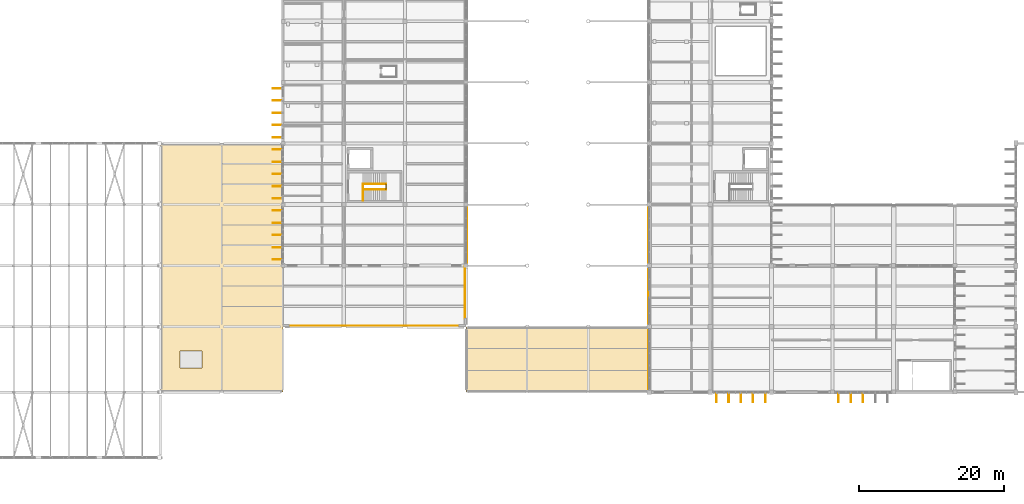
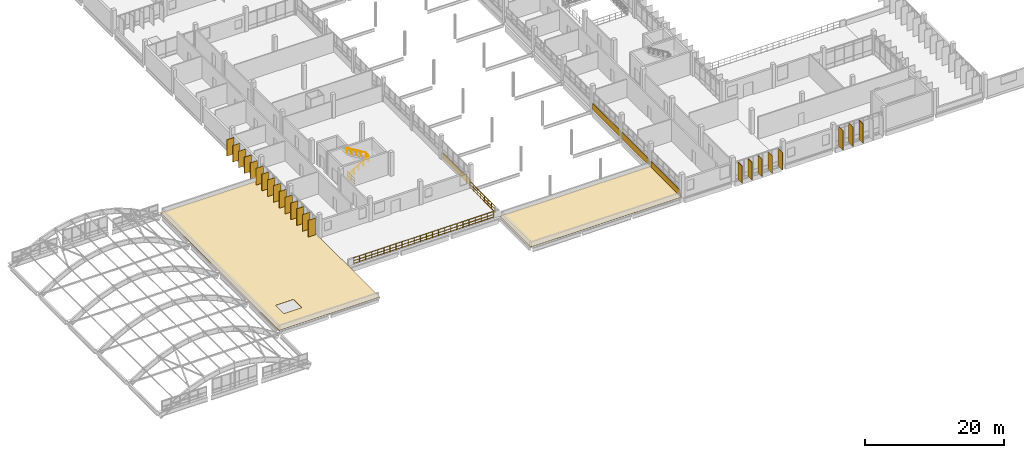
# One storey, part 125 of 130: 23 shading devices, 6 coverings, 6 railings.
"""IFC4 building model written with IfcOpenShell, lengths in metres."""

from ifc_helpers import new_model, si_unit, direction, frame, origin, origin_2d, place, context, subcontext, project, spatial, polyline, rectangle, circle, outline, extrude, material, layer, layer_set, material_profile, profile_set, type_object, element, save


model = new_model("IFC4")

# Units and contexts
model_context = context("Model", 3, precision=1e-05, world=origin(), true_north=direction((0.0, 1.0)))
body_context = subcontext(model_context, "Body", "Model", "MODEL_VIEW")
ifc_project = project(units=[si_unit("LENGTHUNIT", "METRE"), si_unit("AREAUNIT", "SQUARE_METRE"), si_unit("VOLUMEUNIT", "CUBIC_METRE"), si_unit("PLANEANGLEUNIT", "RADIAN"), si_unit("MASSUNIT", "GRAM", prefix="KILO")], contexts=[model_context])

# Site, building, storey
site_placement = place(None, origin())
site = spatial("IfcSite", under=ifc_project, at=site_placement, CompositionType="ELEMENT")
building_placement = place(site_placement, origin())
building = spatial("IfcBuilding", under=site, at=building_placement, Name="Vireocrest Preparatory School", CompositionType="ELEMENT")
storey_placement = place(building_placement, frame((0.0, 0.0, 9.0)))
storey = spatial("IfcBuildingStorey", under=building, at=storey_placement, Name="L02", CompositionType="ELEMENT", Elevation=9.0)

# Railings
ifc_material_1 = material(Name="Brushed stainless steel AISI 316", Category="steel")
railing_type_1 = type_object("IfcRailingType", Name="Post-and-Rail Guard Balustrade 1120", PredefinedType="BALUSTRADE", material=ifc_material_1)
railing_1_placement = place(storey_placement, frame((42.8798828125, 27.1298828125, 0.0)))
element("IfcRailing", 1, at=railing_1_placement, inside=storey, type_object=railing_type_1, Name="Terrace and Deck Guard Balustrade GR1 L02 WEST_L02_TERR_S", PredefinedType="BALUSTRADE", context=body_context, shape_type="SweptSolid", body=[
    extrude(circle(Radius=0.02392578125, at=origin_2d()), frame((0.0, 0.0, 1.09619140625), z_axis=(1.0, 0.0, 0.0), x_axis=(0.0, 1.0, 0.0)), (0.0, 0.0, 1.0), 23.340087890625),
    extrude(circle(Radius=0.01806640625, at=origin_2d()), frame((0.0, 0.0, 0.56005859375), z_axis=(1.0, 0.0, 0.0), x_axis=(0.0, 1.0, 0.0)), (0.0, 0.0, 1.0), 23.340087890625),
    extrude(circle(Radius=0.01806640625, at=origin_2d()), frame((0.0, 0.0, 0.10009765625), z_axis=(1.0, 0.0, 0.0), x_axis=(0.0, 1.0, 0.0)), (0.0, 0.0, 1.0), 23.340087890625),
    extrude(circle(Radius=0.02099609375, at=origin_2d()), origin(), (0.0, 0.0, 1.0), 1.072021484375),
    extrude(circle(Radius=0.02099609375, at=origin_2d()), frame((1.014892578125, 0.0, 0.0)), (0.0, 0.0, 1.0), 1.072021484375),
    extrude(circle(Radius=0.02099609375, at=origin_2d()), frame((2.029541015625, 0.0, 0.0)), (0.0, 0.0, 1.0), 1.072021484375),
    extrude(circle(Radius=0.02099609375, at=origin_2d()), frame((3.04443359375, 0.0, 0.0)), (0.0, 0.0, 1.0), 1.072021484375),
    extrude(circle(Radius=0.02099609375, at=origin_2d()), frame((4.05908203125, 0.0, 0.0)), (0.0, 0.0, 1.0), 1.072021484375),
    extrude(circle(Radius=0.02099609375, at=origin_2d()), frame((5.073974609375, 0.0, 0.0)), (0.0, 0.0, 1.0), 1.072021484375),
    extrude(circle(Radius=0.02099609375, at=origin_2d()), frame((6.088623046875, 0.0, 0.0)), (0.0, 0.0, 1.0), 1.072021484375),
    extrude(circle(Radius=0.02099609375, at=origin_2d()), frame((7.103515625, 0.0, 0.0)), (0.0, 0.0, 1.0), 1.072021484375),
    extrude(circle(Radius=0.02099609375, at=origin_2d()), frame((8.118408203125, 0.0, 0.0)), (0.0, 0.0, 1.0), 1.072021484375),
    extrude(circle(Radius=0.02099609375, at=origin_2d()), frame((9.133056640625, 0.0, 0.0)), (0.0, 0.0, 1.0), 1.072021484375),
    extrude(circle(Radius=0.02099609375, at=origin_2d()), frame((10.14794921875, 0.0, 0.0)), (0.0, 0.0, 1.0), 1.072021484375),
    extrude(circle(Radius=0.02099609375, at=origin_2d()), frame((11.16259765625, 0.0, 0.0)), (0.0, 0.0, 1.0), 1.072021484375),
    extrude(circle(Radius=0.02099609375, at=origin_2d()), frame((12.177490234375, 0.0, 0.0)), (0.0, 0.0, 1.0), 1.072021484375),
    extrude(circle(Radius=0.02099609375, at=origin_2d()), frame((13.192138671875, 0.0, 0.0)), (0.0, 0.0, 1.0), 1.072021484375),
    extrude(circle(Radius=0.02099609375, at=origin_2d()), frame((14.20703125, 0.0, 0.0)), (0.0, 0.0, 1.0), 1.072021484375),
    extrude(circle(Radius=0.02099609375, at=origin_2d()), frame((15.2216796875, 0.0, 0.0)), (0.0, 0.0, 1.0), 1.072021484375),
    extrude(circle(Radius=0.02099609375, at=origin_2d()), frame((16.236572265625, 0.0, 0.0)), (0.0, 0.0, 1.0), 1.072021484375),
    extrude(circle(Radius=0.02099609375, at=origin_2d()), frame((17.25146484375, 0.0, 0.0)), (0.0, 0.0, 1.0), 1.072021484375),
    extrude(circle(Radius=0.02099609375, at=origin_2d()), frame((18.26611328125, 0.0, 0.0)), (0.0, 0.0, 1.0), 1.072021484375),
    extrude(circle(Radius=0.02099609375, at=origin_2d()), frame((19.281005859375, 0.0, 0.0)), (0.0, 0.0, 1.0), 1.072021484375),
    extrude(circle(Radius=0.02099609375, at=origin_2d()), frame((20.295654296875, 0.0, 0.0)), (0.0, 0.0, 1.0), 1.072021484375),
    extrude(circle(Radius=0.02099609375, at=origin_2d()), frame((21.310546875, 0.0, 0.0)), (0.0, 0.0, 1.0), 1.072021484375),
    extrude(circle(Radius=0.02099609375, at=origin_2d()), frame((22.3251953125, 0.0, 0.0)), (0.0, 0.0, 1.0), 1.072021484375),
    extrude(circle(Radius=0.02099609375, at=origin_2d()), frame((23.340087890625, 0.0, 0.0)), (0.0, 0.0, 1.0), 1.072021484375),
])
railing_2_placement = place(storey_placement, frame((67.070068359375, 28.1298828125, 0.0)))
element("IfcRailing", 2, at=railing_2_placement, inside=storey, type_object=railing_type_1, Name="Terrace and Deck Guard Balustrade GR1 L02 WEST_L02_TERR_E", PredefinedType="BALUSTRADE", context=body_context, shape_type="SweptSolid", body=[
    extrude(circle(Radius=0.02392578125, at=origin_2d()), frame((0.0, 0.0, 1.09619140625), z_axis=(0.0, 1.0, 0.0), x_axis=(-1.0, 0.0, 0.0)), (0.0, 0.0, 1.0), 7.190185546875),
    extrude(circle(Radius=0.01806640625, at=origin_2d()), frame((0.0, 0.0, 0.56005859375), z_axis=(0.0, 1.0, 0.0), x_axis=(-1.0, 0.0, 0.0)), (0.0, 0.0, 1.0), 7.190185546875),
    extrude(circle(Radius=0.01806640625, at=origin_2d()), frame((0.0, 0.0, 0.10009765625), z_axis=(0.0, 1.0, 0.0), x_axis=(-1.0, 0.0, 0.0)), (0.0, 0.0, 1.0), 7.190185546875),
    extrude(circle(Radius=0.02099609375, at=origin_2d()), origin(), (0.0, 0.0, 1.0), 1.072021484375),
    extrude(circle(Radius=0.02099609375, at=origin_2d()), frame((0.0, 1.027099609375, 0.0)), (0.0, 0.0, 1.0), 1.072021484375),
    extrude(circle(Radius=0.02099609375, at=origin_2d()), frame((0.0, 2.054443359375, 0.0)), (0.0, 0.0, 1.0), 1.072021484375),
    extrude(circle(Radius=0.02099609375, at=origin_2d()), frame((0.0, 3.08154296875, 0.0)), (0.0, 0.0, 1.0), 1.072021484375),
    extrude(circle(Radius=0.02099609375, at=origin_2d()), frame((0.0, 4.108642578125, 0.0)), (0.0, 0.0, 1.0), 1.072021484375),
    extrude(circle(Radius=0.02099609375, at=origin_2d()), frame((0.0, 5.1357421875, 0.0)), (0.0, 0.0, 1.0), 1.072021484375),
    extrude(circle(Radius=0.02099609375, at=origin_2d()), frame((0.0, 6.1630859375, 0.0)), (0.0, 0.0, 1.0), 1.072021484375),
    extrude(circle(Radius=0.02099609375, at=origin_2d()), frame((0.0, 7.190185546875, 0.0)), (0.0, 0.0, 1.0), 1.072021484375),
])
railing_3_placement = place(storey_placement, frame((53.02490234375, 44.35009765625, 0.0)))
element("IfcRailing", 3, at=railing_3_placement, inside=storey, type_object=railing_type_1, Name="Arrival Landing Guard ST1-L01", PredefinedType="BALUSTRADE", context=body_context, shape_type="SweptSolid", body=[
    extrude(circle(Radius=0.02392578125, at=origin_2d()), frame((0.0, 0.0, 1.09619140625), z_axis=(0.0, 1.0, 0.0), x_axis=(-1.0, 0.0, 0.0)), (0.0, 0.0, 1.0), 2.02001953125),
    extrude(circle(Radius=0.01806640625, at=origin_2d()), frame((0.0, 0.0, 0.56005859375), z_axis=(0.0, 1.0, 0.0), x_axis=(-1.0, 0.0, 0.0)), (0.0, 0.0, 1.0), 2.02001953125),
    extrude(circle(Radius=0.01806640625, at=origin_2d()), frame((0.0, 0.0, 0.10009765625), z_axis=(0.0, 1.0, 0.0), x_axis=(-1.0, 0.0, 0.0)), (0.0, 0.0, 1.0), 2.02001953125),
    extrude(circle(Radius=0.02099609375, at=origin_2d()), origin(), (0.0, 0.0, 1.0), 1.072021484375),
    extrude(circle(Radius=0.02099609375, at=origin_2d()), frame((0.0, 1.010009765625, 0.0)), (0.0, 0.0, 1.0), 1.072021484375),
    extrude(circle(Radius=0.02099609375, at=origin_2d()), frame((0.0, 2.02001953125, 0.0)), (0.0, 0.0, 1.0), 1.072021484375),
])
railing_4_placement = place(storey_placement, frame((56.175048828125, 45.8798828125, 2.10009765625)))
element("IfcRailing", 4, at=railing_4_placement, inside=storey, type_object=railing_type_1, Name="Half-Landing Well Guard ST1-L02", PredefinedType="BALUSTRADE", context=body_context, shape_type="SweptSolid", body=[
    extrude(circle(Radius=0.02392578125, at=origin_2d()), frame((0.0, 0.0, 1.09619140625), z_axis=(0.0, 1.0, 0.0), x_axis=(-1.0, 0.0, 0.0)), (0.0, 0.0, 1.0), 0.740234375),
    extrude(circle(Radius=0.01806640625, at=origin_2d()), frame((0.0, 0.0, 0.56005859375), z_axis=(0.0, 1.0, 0.0), x_axis=(-1.0, 0.0, 0.0)), (0.0, 0.0, 1.0), 0.740234375),
    extrude(circle(Radius=0.01806640625, at=origin_2d()), frame((0.0, 0.0, 0.10009765625), z_axis=(0.0, 1.0, 0.0), x_axis=(-1.0, 0.0, 0.0)), (0.0, 0.0, 1.0), 0.740234375),
    extrude(circle(Radius=0.02099609375, at=origin_2d()), origin(), (0.0, 0.0, 1.0), 1.072021484375),
    extrude(circle(Radius=0.02099609375, at=origin_2d()), frame((0.0, 0.740234375, 0.0)), (0.0, 0.0, 1.0), 1.072021484375),
])
railing_type_2 = type_object("IfcRailingType", Name="Stair Pitch Handrail 900", PredefinedType="HANDRAIL", material=ifc_material_1)
railing_5_placement = place(storey_placement, frame((53.0048828125, 45.8798828125, 0.175048828125)))
element("IfcRailing", 5, at=railing_5_placement, inside=storey, type_object=railing_type_2, Name="Stair Handrail ST1-L02-HR1", PredefinedType="HANDRAIL", context=body_context, shape_type="SweptSolid", body=[
    extrude(circle(Radius=0.02392578125, at=origin_2d()), frame((0.0, 0.0, 0.8759765625), z_axis=(0.856195157123, 0.0, 0.516652545643), x_axis=(0.0, 1.0, 0.0)), (0.0, 0.0, 1.0), 3.72607421875),
    extrude(circle(Radius=0.02099609375, at=origin_2d()), origin(), (0.0, 0.0, 1.0), 0.851806640625),
    extrude(circle(Radius=0.02099609375, at=origin_2d()), frame((0.797607421875, 0.0, 0.481201171875)), (0.0, 0.0, 1.0), 0.851806640625),
    extrude(circle(Radius=0.02099609375, at=origin_2d()), frame((1.59521484375, 0.0, 0.96240234375)), (0.0, 0.0, 1.0), 0.851806640625),
    extrude(circle(Radius=0.02099609375, at=origin_2d()), frame((2.392578125, 0.0, 1.44384765625)), (0.0, 0.0, 1.0), 0.851806640625),
    extrude(circle(Radius=0.02099609375, at=origin_2d()), frame((3.190185546875, 0.0, 1.925048828125)), (0.0, 0.0, 1.0), 0.851806640625),
])
railing_6_placement = place(storey_placement, frame((56.195068359375, 46.6201171875, 2.27490234375)))
element("IfcRailing", 6, at=railing_6_placement, inside=storey, type_object=railing_type_2, Name="Stair Handrail ST1-L02-HR2", PredefinedType="HANDRAIL", context=body_context, shape_type="SweptSolid", body=[
    extrude(circle(Radius=0.02392578125, at=origin_2d()), frame((0.0, 0.0, 0.8759765625), z_axis=(-0.856195157123, 0.0, 0.516652545643), x_axis=(0.0, -1.0, 0.0)), (0.0, 0.0, 1.0), 3.72607421875),
    extrude(circle(Radius=0.02099609375, at=origin_2d()), origin(), (0.0, 0.0, 1.0), 0.851806640625),
    extrude(circle(Radius=0.02099609375, at=origin_2d()), frame((-0.797607421875, 0.0, 0.481201171875)), (0.0, 0.0, 1.0), 0.851806640625),
    extrude(circle(Radius=0.02099609375, at=origin_2d()), frame((-1.59521484375, 0.0, 0.96240234375)), (0.0, 0.0, 1.0), 0.851806640625),
    extrude(circle(Radius=0.02099609375, at=origin_2d()), frame((-2.392578125, 0.0, 1.44384765625)), (0.0, 0.0, 1.0), 0.851806640625),
    extrude(circle(Radius=0.02099609375, at=origin_2d()), frame((-3.190185546875, 0.0, 1.925048828125)), (0.0, 0.0, 1.0), 0.851806640625),
])

# Coverings
ifc_material_2 = material(Name="TPO single-ply insulated roofing membrane")
ifc_layer_1 = layer(ifc_material_2, 0.030029296875)
ifc_layer_set_1 = layer_set([ifc_layer_1], Name="TPO single-ply insulated roofing membrane")
covering_type_1 = type_object("IfcCoveringType", Name="TPO Insulated Single-Ply Roof Membrane", PredefinedType="ROOFING", material=ifc_layer_set_1)
covering_1_placement = place(storey_placement, origin())
element("IfcCovering", 7, at=covering_1_placement, inside=storey, type_object=covering_type_1, Name="Roof Membrane L02_WEST_LINK_ROOF", PredefinedType="ROOFING", context=body_context, shape_type="SweptSolid", body=[
    extrude(outline(polyline([(25.199951171875, 18.0), (42.0, 18.0), (42.0, 52.199951171875), (25.199951171875, 52.199951171875), (25.199951171875, 18.0)]), holes=[polyline([(27.89990234375, 21.300048828125), (30.89990234375, 21.300048828125), (30.89990234375, 23.699951171875), (27.89990234375, 23.699951171875), (27.89990234375, 21.300048828125)])]), origin(), (0.0, 0.0, 1.0), 0.030029296875),
])
covering_2_placement = place(storey_placement, origin())
element("IfcCovering", 8, at=covering_2_placement, inside=storey, type_object=covering_type_1, Name="Roof Membrane L02_SOUTH_BRIDGE_ROOF", PredefinedType="ROOFING", context=body_context, shape_type="SweptSolid", body=[
    extrude(outline(polyline([(67.199951171875, 18.0), (92.39990234375, 18.0), (92.39990234375, 27.0), (67.199951171875, 27.0), (67.199951171875, 18.0)])), origin(), (0.0, 0.0, 1.0), 0.030029296875),
])

# Shading devices
ifc_material_3 = material(Name="Warm anodised aluminium EN AW-6063-T6", Category="aluminium")
ifc_material_profile = material_profile(ifc_material_3, rectangle(XDim=0.080078125, YDim=1.199951171875, at=origin_2d()), Name="FIN 80x1200")
ifc_profile_set = profile_set([ifc_material_profile], Name="Warm anodised aluminium EN AW-6063-T6")
shading_device_type = type_object("IfcShadingDeviceType", Name="Vertical Anodised Aluminium Solar Fin 1200", PredefinedType="USERDEFINED", material=ifc_profile_set)
for number, where, z_axis, x_axis, name in (
    (9, (101.639892578125, 17.219970703125, 0.02001953125), (0.0, 0.0, 1.0), (-1.0, 0.0, 0.0), "Vertical Solar Fin FN1 L02-25-1"),
    (10, (103.320068359375, 17.219970703125, 0.02001953125), (0.0, 0.0, 1.0), (-1.0, 0.0, 0.0), "Vertical Solar Fin FN1 L02-25-2"),
    (11, (105.0, 17.219970703125, 0.02001953125), (0.0, 0.0, 1.0), (-1.0, 0.0, 0.0), "Vertical Solar Fin FN1 L02-25-3"),
    (12, (106.679931640625, 17.219970703125, 0.02001953125), (0.0, 0.0, 1.0), (-1.0, 0.0, 0.0), "Vertical Solar Fin FN1 L02-25-4"),
    (13, (108.360107421875, 17.219970703125, 0.02001953125), (0.0, 0.0, 1.0), (-1.0, 0.0, 0.0), "Vertical Solar Fin FN1 L02-25-5"),
):
    element("IfcShadingDevice", number, at=place(storey_placement, frame(where, z_axis=z_axis, x_axis=x_axis)), inside=storey, type_object=shading_device_type, Name=name, ObjectType="FIN", PredefinedType="USERDEFINED", context=body_context, shape_type="SweptSolid", body=[
        extrude(rectangle(XDim=0.080078125, YDim=1.199951171875, at=origin_2d()), origin(), (0.0, 0.0, 1.0), 3.070068359375),
    ])
for number, where, z_axis, x_axis, name in (
    (14, (118.43994140625, 17.219970703125, 0.02001953125), (0.0, 0.0, 1.0), (-1.0, 0.0, 0.0), "Vertical Solar Fin FN1 L02-26-1"),
    (15, (120.1201171875, 17.219970703125, 0.02001953125), (0.0, 0.0, 1.0), (-1.0, 0.0, 0.0), "Vertical Solar Fin FN1 L02-26-2"),
    (16, (121.800048828125, 17.219970703125, 0.02001953125), (0.0, 0.0, 1.0), (-1.0, 0.0, 0.0), "Vertical Solar Fin FN1 L02-26-3"),
):
    element("IfcShadingDevice", number, at=place(storey_placement, frame(where, z_axis=z_axis, x_axis=x_axis)), inside=storey, type_object=shading_device_type, Name=name, ObjectType="FIN", PredefinedType="USERDEFINED", context=body_context, shape_type="SweptSolid", body=[
        extrude(rectangle(XDim=0.080078125, YDim=1.199951171875, at=origin_2d()), origin(), (0.0, 0.0, 1.0), 3.419921875),
    ])
for number, where, z_axis, x_axis, name in (
    (17, (41.219970703125, 36.239990234375, 0.02001953125), (0.0, 0.0, 1.0), (0.0, 1.0, 0.0), "Vertical Solar Fin FN1 L02-33-1"),
    (18, (41.219970703125, 37.919921875, 0.02001953125), (0.0, 0.0, 1.0), (0.0, 1.0, 0.0), "Vertical Solar Fin FN1 L02-33-2"),
    (19, (41.219970703125, 39.60009765625, 0.02001953125), (0.0, 0.0, 1.0), (0.0, 1.0, 0.0), "Vertical Solar Fin FN1 L02-33-3"),
    (20, (41.219970703125, 41.280029296875, 0.02001953125), (0.0, 0.0, 1.0), (0.0, 1.0, 0.0), "Vertical Solar Fin FN1 L02-33-4"),
    (21, (41.219970703125, 42.9599609375, 0.02001953125), (0.0, 0.0, 1.0), (0.0, 1.0, 0.0), "Vertical Solar Fin FN1 L02-33-5"),
    (22, (41.219970703125, 44.639892578125, 0.02001953125), (0.0, 0.0, 1.0), (0.0, 1.0, 0.0), "Vertical Solar Fin FN1 L02-34-1"),
    (23, (41.219970703125, 46.320068359375, 0.02001953125), (0.0, 0.0, 1.0), (0.0, 1.0, 0.0), "Vertical Solar Fin FN1 L02-34-2"),
    (24, (41.219970703125, 48.0, 0.02001953125), (0.0, 0.0, 1.0), (0.0, 1.0, 0.0), "Vertical Solar Fin FN1 L02-34-3"),
    (25, (41.219970703125, 49.679931640625, 0.02001953125), (0.0, 0.0, 1.0), (0.0, 1.0, 0.0), "Vertical Solar Fin FN1 L02-34-4"),
    (26, (41.219970703125, 51.360107421875, 0.02001953125), (0.0, 0.0, 1.0), (0.0, 1.0, 0.0), "Vertical Solar Fin FN1 L02-34-5"),
):
    element("IfcShadingDevice", number, at=place(storey_placement, frame(where, z_axis=z_axis, x_axis=x_axis)), inside=storey, type_object=shading_device_type, Name=name, ObjectType="FIN", PredefinedType="USERDEFINED", context=body_context, shape_type="SweptSolid", body=[
        extrude(rectangle(XDim=0.080078125, YDim=1.199951171875, at=origin_2d()), origin(), (0.0, 0.0, 1.0), 2.949951171875),
    ])
for number, where, z_axis, x_axis, name in (
    (27, (41.219970703125, 53.0400390625, 0.02001953125), (0.0, 0.0, 1.0), (0.0, 1.0, 0.0), "Vertical Solar Fin FN1 L02-35-1"),
    (28, (41.219970703125, 54.719970703125, 0.02001953125), (0.0, 0.0, 1.0), (0.0, 1.0, 0.0), "Vertical Solar Fin FN1 L02-35-2"),
    (29, (41.219970703125, 56.39990234375, 0.02001953125), (0.0, 0.0, 1.0), (0.0, 1.0, 0.0), "Vertical Solar Fin FN1 L02-35-3"),
    (30, (41.219970703125, 58.080078125, 0.02001953125), (0.0, 0.0, 1.0), (0.0, 1.0, 0.0), "Vertical Solar Fin FN1 L02-35-4"),
    (31, (41.219970703125, 59.760009765625, 0.02001953125), (0.0, 0.0, 1.0), (0.0, 1.0, 0.0), "Vertical Solar Fin FN1 L02-35-5"),
):
    element("IfcShadingDevice", number, at=place(storey_placement, frame(where, z_axis=z_axis, x_axis=x_axis)), inside=storey, type_object=shading_device_type, Name=name, ObjectType="FIN", PredefinedType="USERDEFINED", context=body_context, shape_type="SweptSolid", body=[
        extrude(rectangle(XDim=0.080078125, YDim=1.199951171875, at=origin_2d()), origin(), (0.0, 0.0, 1.0), 2.89990234375),
    ])

# Coverings
ifc_material_4 = material(Name="Painted white aluminium cladding EN AW-6063-T6", Category="aluminium")
ifc_layer_2 = layer(ifc_material_4, 0.044921875)
ifc_layer_set_2 = layer_set([ifc_layer_2], Name="Painted white aluminium cladding EN AW-6063-T6")
covering_type_2 = type_object("IfcCoveringType", Name="White High-Tech Horizontal Spandrel Cladding Band", PredefinedType="CLADDING", material=ifc_layer_set_2)
covering_3_placement = place(storey_placement, frame((92.264892578125, 22.5, 0.030029296875), z_axis=(0.0, 0.0, 1.0), x_axis=(1.0, 0.0, 0.0)))
element("IfcCovering", 32, at=covering_3_placement, inside=storey, type_object=covering_type_2, Name="White Court Spandrel Band L02-0255", PredefinedType="CLADDING", context=body_context, shape_type="SweptSolid", body=[
    extrude(rectangle(XDim=0.0849609375, YDim=8.449951171875, at=origin_2d()), origin(), (0.0, 0.0, 1.0), 1.10009765625),
])
for number, where, z_axis, x_axis, name in (
    (33, (92.264892578125, 31.199951171875, 0.030029296875), (0.0, 0.0, 1.0), (1.0, 0.0, 0.0), "White Court Spandrel Band L02-0256"),
    (34, (92.264892578125, 39.60009765625, 0.030029296875), (0.0, 0.0, 1.0), (1.0, 0.0, 0.0), "White Court Spandrel Band L02-0257"),
):
    element("IfcCovering", number, at=place(storey_placement, frame(where, z_axis=z_axis, x_axis=x_axis)), inside=storey, type_object=covering_type_2, Name=name, PredefinedType="CLADDING", context=body_context, shape_type="SweptSolid", body=[
        extrude(rectangle(XDim=0.0849609375, YDim=7.85009765625, at=origin_2d()), origin(), (0.0, 0.0, 1.0), 1.10009765625),
    ])
covering_4_placement = place(storey_placement, frame((67.3349609375, 39.60009765625, 0.030029296875), z_axis=(0.0, 0.0, 1.0), x_axis=(1.0, 0.0, 0.0)))
element("IfcCovering", 35, at=covering_4_placement, inside=storey, type_object=covering_type_2, Name="White Court Spandrel Band L02-0292", PredefinedType="CLADDING", context=body_context, shape_type="SweptSolid", body=[
    extrude(rectangle(XDim=0.0849609375, YDim=7.89990234375, at=origin_2d()), origin(), (0.0, 0.0, 1.0), 1.10009765625),
])

save(model, "model.ifc")
